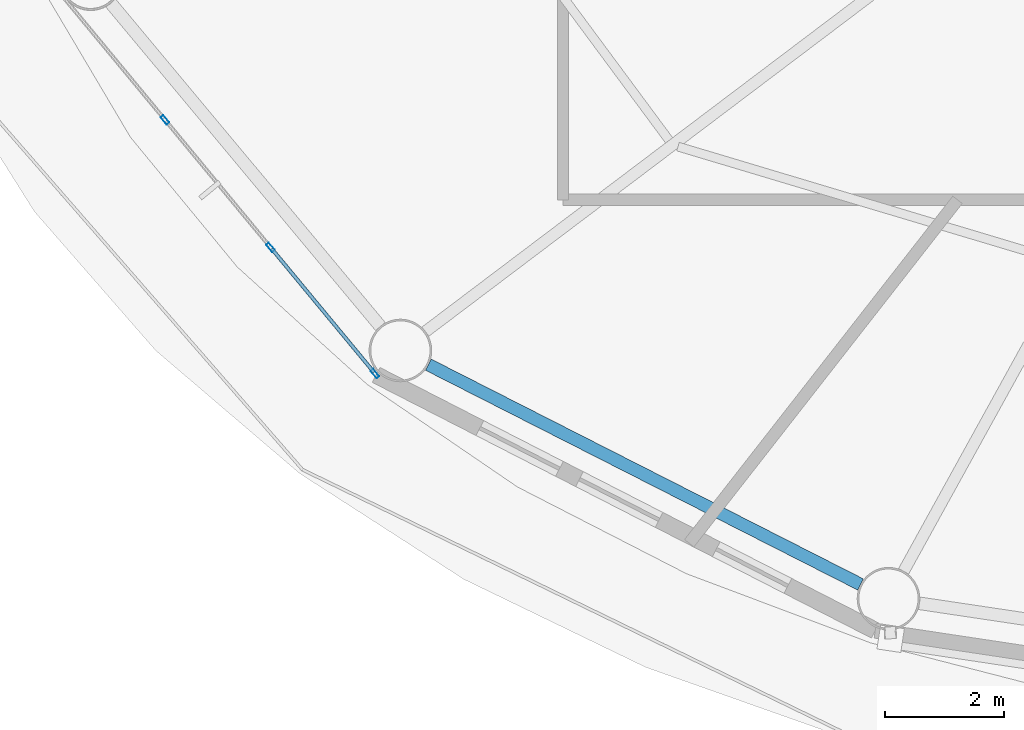
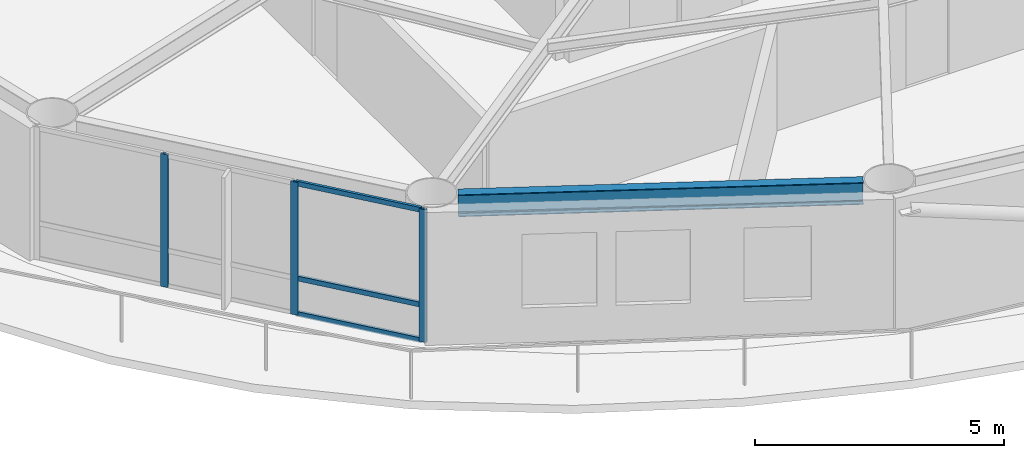
# One storey, part 2 of 24: 6 members, 1 beam, 1 element without a shape of its own.
"""IFC4 building model written with IfcOpenShell, lengths in metres."""

from ifc_helpers import new_model, si_unit, direction, frame, origin, origin_2d, place, context, subcontext, project, spatial, hollow_rectangle, i_section, extrude, material, layer, layer_set, material_profile, profile_set, type_object, element, aggregate, save


model = new_model("IFC4")

# Units and contexts
model_context = context("Model", 3, precision=1e-05, world=origin(), true_north=direction((0.0, 1.0)))
body_context = subcontext(model_context, "Body", "Model", "MODEL_VIEW")
ifc_project = project(units=[si_unit("LENGTHUNIT", "METRE"), si_unit("AREAUNIT", "SQUARE_METRE"), si_unit("VOLUMEUNIT", "CUBIC_METRE"), si_unit("PLANEANGLEUNIT", "RADIAN"), si_unit("MASSUNIT", "GRAM", prefix="KILO")], contexts=[model_context])

# Site, building, storey
site_placement = place(None, origin())
site = spatial("IfcSite", under=ifc_project, at=site_placement, CompositionType="ELEMENT")
building_placement = place(site_placement, origin())
building = spatial("IfcBuilding", under=site, at=building_placement, Name="Sarneth Arch Tower", CompositionType="ELEMENT")
storey_placement = place(building_placement, frame((0.0, 0.0, 253.199951171875)))
storey = spatial("IfcBuildingStorey", under=building, at=storey_placement, Name="L65", CompositionType="ELEMENT", Elevation=253.199951171875)

# Beam
ifc_material_1 = material(Name="Steel S355", Category="steel")
ifc_material_profile_1 = material_profile(ifc_material_1, i_section(OverallWidth=0.2109375, OverallDepth=0.5390625, WebThickness=0.01171875, FlangeThickness=0.018798828125, FilletRadius=0.01806640625, at=origin_2d()), Name="W530x109")
ifc_profile_set_1 = profile_set([ifc_material_profile_1], Name="Steel S355")
beam_type = type_object("IfcBeamType", Name="BM-RAD-530B", PredefinedType="BEAM", material=ifc_profile_set_1)
beam_placement = place(storey_placement, frame((30.49267578125, 28.185546875, 2.98046875), z_axis=(0.891368271482, -0.453279830342, 0.0), x_axis=(0.453279830342, 0.891368271482, 0.0)))
element("IfcBeam", 1, at=beam_placement, inside=storey, type_object=beam_type, Name="L65 Perimeter spandrel beam 11", PredefinedType="BEAM", context=body_context, shape_type="SweptSolid", body=[
    extrude(i_section(OverallWidth=0.2109375, OverallDepth=0.5390625, WebThickness=0.01171875, FlangeThickness=0.018798828125, FilletRadius=0.01806640625, at=origin_2d()), origin(), (0.0, 0.0, 1.0), 8.1318359375),
])

# Curtain wall, members
ifc_material_2 = material(Name="Anodised aluminium Type AA25 and solar-control low-e laminated IGU", Category="aluminium")
ifc_layer = layer(ifc_material_2, 0.179931640625)
ifc_layer_set = layer_set([ifc_layer], Name="Anodised aluminium Type AA25 and solar-control low-e laminated IGU")
curtain_wall_type = type_object("IfcCurtainWallType", Name="CW-RES-HIGH", PredefinedType="NOTDEFINED", material=ifc_layer_set)
curtain_wall_placement = place(storey_placement, origin())
curtain_wall = element("IfcCurtainWall", 2, at=curtain_wall_placement, inside=storey, type_object=curtain_wall_type, Name="L65 Unitised curtain wall facet 10", PredefinedType="NOTDEFINED")
ifc_material_3 = material(Name="Anodised Aluminium 6063-T6", Category="aluminium")
ifc_material_profile_2 = material_profile(ifc_material_3, hollow_rectangle(XDim=0.06005859375, YDim=0.159912109375, WallThickness=0.00390625, at=origin_2d()), Name="AL-MULL-160x60x4")
ifc_profile_set_2 = profile_set([ifc_material_profile_2], Name="Anodised Aluminium 6063-T6")
member_type_1 = type_object("IfcMemberType", Name="CW-MULLION", PredefinedType="MULLION", material=ifc_profile_set_2)
member_1_placement = place(storey_placement, frame((26.07666015625, 32.29150390625, 0.0), z_axis=(0.0, 0.0, 1.0), x_axis=(0.770359245933, 0.637610094184, 0.0)))
member_1 = element("IfcMember", 3, at=member_1_placement, type_object=member_type_1, Name="CW-SYS-6 mullion 2", PredefinedType="MULLION", context=body_context, shape_type="SweptSolid", body=[
    extrude(hollow_rectangle(XDim=0.06005859375, YDim=0.159912109375, WallThickness=0.00390625, at=origin_2d()), origin(), (0.0, 0.0, 1.0), 3.25),
])
member_2_placement = place(storey_placement, frame((27.84716796875, 30.15234375, 0.0), z_axis=(0.0, 0.0, 1.0), x_axis=(0.770359245933, 0.637610094184, 0.0)))
member_2 = element("IfcMember", 4, at=member_2_placement, type_object=member_type_1, Name="CW-SYS-6 mullion 3", PredefinedType="MULLION", context=body_context, shape_type="SweptSolid", body=[
    extrude(hollow_rectangle(XDim=0.06005859375, YDim=0.159912109375, WallThickness=0.00390625, at=origin_2d()), origin(), (0.0, 0.0, 1.0), 3.25),
])
member_3_placement = place(storey_placement, frame((29.598388671875, 28.03662109375, 0.0), z_axis=(0.0, 0.0, 1.0), x_axis=(0.770359245933, 0.637610094184, 0.0)))
member_3 = element("IfcMember", 5, at=member_3_placement, type_object=member_type_1, Name="CW-SYS-6 mullion 4", PredefinedType="MULLION", context=body_context, shape_type="SweptSolid", body=[
    extrude(hollow_rectangle(XDim=0.06005859375, YDim=0.159912109375, WallThickness=0.00390625, at=origin_2d()), origin(), (0.0, 0.0, 1.0), 3.25),
])
ifc_material_4 = material(Name="Anodised Aluminium 6063-T6", Category="aluminium")
ifc_material_profile_3 = material_profile(ifc_material_4, hollow_rectangle(XDim=0.06005859375, YDim=0.1201171875, WallThickness=0.00390625, at=origin_2d()), Name="AL-TRAN-120x60x4")
ifc_profile_set_3 = profile_set([ifc_material_profile_3], Name="Anodised Aluminium 6063-T6")
member_type_2 = type_object("IfcMemberType", Name="CW-TRANSOM", PredefinedType="USERDEFINED", material=ifc_profile_set_3)
member_4_placement = place(storey_placement, frame((27.8662109375, 30.12939453125, 0.030029296875), z_axis=(0.637606765719, -0.770362000821, 0.0), x_axis=(0.770362000821, 0.637606765719, 0.0)))
member_4 = element("IfcMember", 6, at=member_4_placement, type_object=member_type_2, Name="CW-SYS-6 transom 3.1", ObjectType="TRANSOM", PredefinedType="USERDEFINED", context=body_context, shape_type="SweptSolid", body=[
    extrude(hollow_rectangle(XDim=0.06005859375, YDim=0.1201171875, WallThickness=0.00390625, at=origin_2d()), origin(), (0.0, 0.0, 1.0), 2.686767578125),
])
member_5_placement = place(storey_placement, frame((27.8662109375, 30.12939453125, 0.900146484375), z_axis=(0.637606765719, -0.770362000821, 0.0), x_axis=(0.770362000821, 0.637606765719, 0.0)))
member_5 = element("IfcMember", 7, at=member_5_placement, type_object=member_type_2, Name="CW-SYS-6 transom 3.2", ObjectType="TRANSOM", PredefinedType="USERDEFINED", context=body_context, shape_type="SweptSolid", body=[
    extrude(hollow_rectangle(XDim=0.06005859375, YDim=0.1201171875, WallThickness=0.00390625, at=origin_2d()), origin(), (0.0, 0.0, 1.0), 2.686767578125),
])
member_6_placement = place(storey_placement, frame((27.8662109375, 30.12939453125, 3.219970703125), z_axis=(0.637606765719, -0.770362000821, 0.0), x_axis=(0.770362000821, 0.637606765719, 0.0)))
member_6 = element("IfcMember", 8, at=member_6_placement, type_object=member_type_2, Name="CW-SYS-6 transom 3.3", ObjectType="TRANSOM", PredefinedType="USERDEFINED", context=body_context, shape_type="SweptSolid", body=[
    extrude(hollow_rectangle(XDim=0.06005859375, YDim=0.1201171875, WallThickness=0.00390625, at=origin_2d()), origin(), (0.0, 0.0, 1.0), 2.686767578125),
])
aggregate(curtain_wall, [member_1, member_2, member_3, member_4, member_5, member_6])

save(model, "model.ifc")
